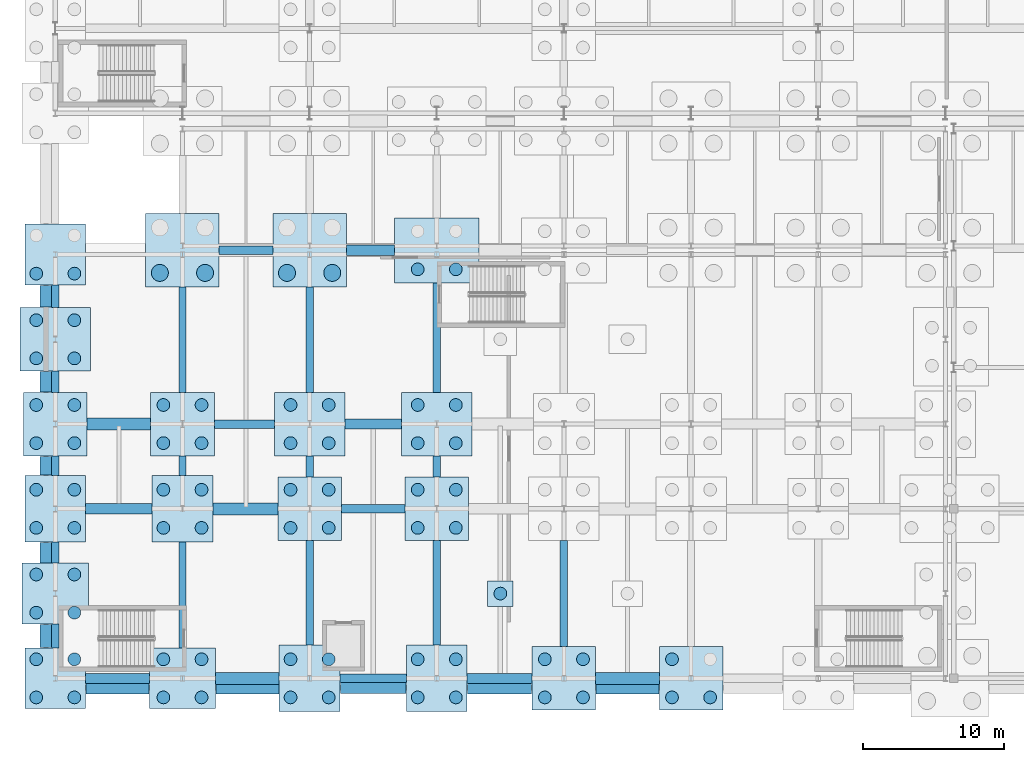
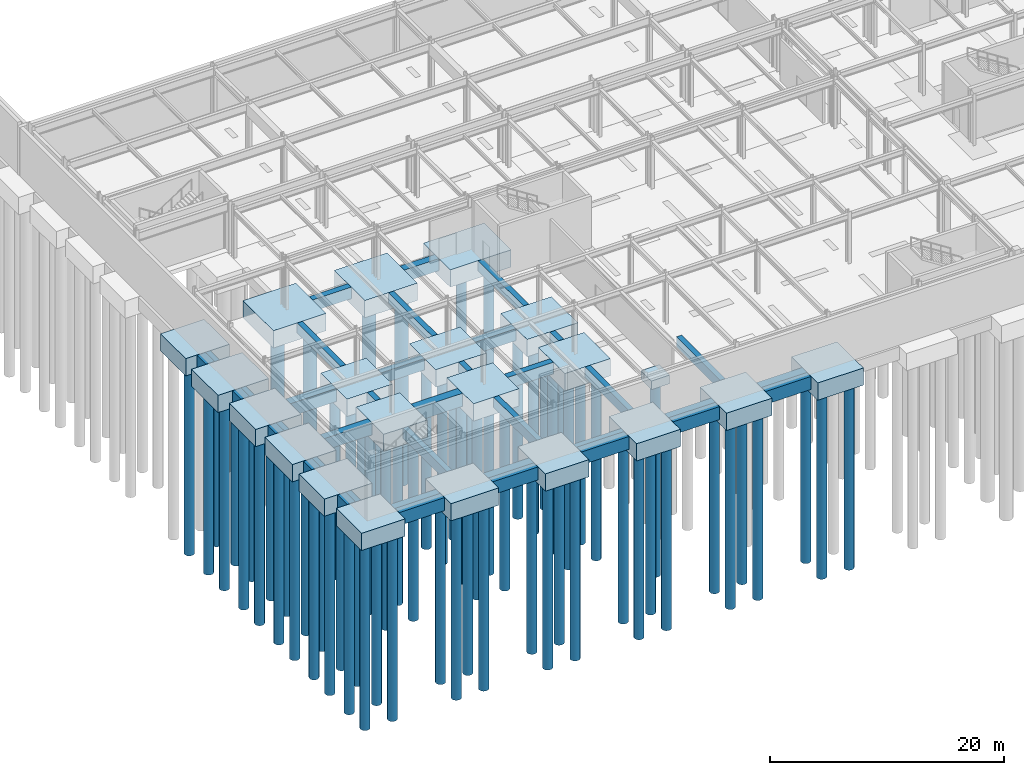
# One storey, part 1 of 65: 72 piles, 59 footings.
"""IFC4 building model written with IfcOpenShell, lengths in metres."""

from ifc_helpers import new_model, si_unit, direction, frame, origin, origin_2d, place, context, subcontext, project, spatial, rectangle, circle, extrude, material, material_profile, profile_set, type_object, element, save


model = new_model("IFC4")

# Units and contexts
model_context = context("Model", 3, precision=1e-05, world=origin(), true_north=direction((0.0, 1.0)))
body_context = subcontext(model_context, "Body", "Model", "MODEL_VIEW")
ifc_project = project(units=[si_unit("LENGTHUNIT", "METRE"), si_unit("AREAUNIT", "SQUARE_METRE"), si_unit("VOLUMEUNIT", "CUBIC_METRE"), si_unit("PLANEANGLEUNIT", "RADIAN"), si_unit("MASSUNIT", "GRAM", prefix="KILO")], contexts=[model_context])

# Site, building, storey
site_placement = place(None, origin())
site = spatial("IfcSite", under=ifc_project, at=site_placement, CompositionType="ELEMENT")
building_placement = place(site_placement, origin())
building = spatial("IfcBuilding", under=site, at=building_placement, Name="Kaldris Quays Convention Centre", CompositionType="ELEMENT")
storey_placement = place(building_placement, frame((0.0, 0.0, -5.39990234375)))
storey = spatial("IfcBuildingStorey", under=building, at=storey_placement, Name="B1", CompositionType="ELEMENT", Elevation=-5.39990234375)

# Piles
ifc_material = material(Name="Concrete C35/45", Category="concrete")
ifc_material_profile_1 = material_profile(ifc_material, circle(Radius=0.449951171875, at=origin_2d()), Name="BORED PILE D900")
ifc_profile_set_1 = profile_set([ifc_material_profile_1], Name="Concrete C35/45")
pile_type_1 = type_object("IfcPileType", Name="BORED PILE P01", PredefinedType="BORED", material=ifc_profile_set_1)
for number, where, z_axis, x_axis, name in (
    (1, (18.64990234375, 14.64990234375, -1.7001953125), (0.0, 0.0, -1.0), (1.0, 0.0, 0.0), "Bored Pile P01 1"),
    (2, (21.35009765625, 14.64990234375, -1.7001953125), (0.0, 0.0, -1.0), (1.0, 0.0, 0.0), "Bored Pile P01 2"),
    (3, (18.64990234375, 17.35009765625, -1.7001953125), (0.0, 0.0, -1.0), (1.0, 0.0, 0.0), "Bored Pile P01 3"),
    (4, (21.35009765625, 17.35009765625, -1.7001953125), (0.0, 0.0, -1.0), (1.0, 0.0, 0.0), "Bored Pile P01 4"),
    (5, (18.64990234375, 20.64990234375, -1.7001953125), (0.0, 0.0, -1.0), (1.0, 0.0, 0.0), "Bored Pile P01 5"),
    (6, (21.35009765625, 20.64990234375, -1.7001953125), (0.0, 0.0, -1.0), (1.0, 0.0, 0.0), "Bored Pile P01 6"),
    (7, (18.64990234375, 23.35009765625, -1.7001953125), (0.0, 0.0, -1.0), (1.0, 0.0, 0.0), "Bored Pile P01 7"),
    (8, (21.35009765625, 23.35009765625, -1.7001953125), (0.0, 0.0, -1.0), (1.0, 0.0, 0.0), "Bored Pile P01 8"),
    (9, (18.64990234375, 26.64990234375, -1.7001953125), (0.0, 0.0, -1.0), (1.0, 0.0, 0.0), "Bored Pile P01 9"),
    (10, (21.35009765625, 26.64990234375, -1.7001953125), (0.0, 0.0, -1.0), (1.0, 0.0, 0.0), "Bored Pile P01 10"),
    (11, (18.64990234375, 29.35009765625, -1.7001953125), (0.0, 0.0, -1.0), (1.0, 0.0, 0.0), "Bored Pile P01 11"),
    (12, (21.35009765625, 29.35009765625, -1.7001953125), (0.0, 0.0, -1.0), (1.0, 0.0, 0.0), "Bored Pile P01 12"),
    (13, (18.64990234375, 32.64990234375, -1.7001953125), (0.0, 0.0, -1.0), (1.0, 0.0, 0.0), "Bored Pile P01 13"),
    (14, (21.35009765625, 32.64990234375, -1.7001953125), (0.0, 0.0, -1.0), (1.0, 0.0, 0.0), "Bored Pile P01 14"),
    (15, (18.64990234375, 35.35009765625, -1.7001953125), (0.0, 0.0, -1.0), (1.0, 0.0, 0.0), "Bored Pile P01 15"),
    (16, (21.35009765625, 35.35009765625, -1.7001953125), (0.0, 0.0, -1.0), (1.0, 0.0, 0.0), "Bored Pile P01 16"),
    (17, (18.64990234375, 38.64990234375, -1.7001953125), (0.0, 0.0, -1.0), (1.0, 0.0, 0.0), "Bored Pile P01 17"),
    (18, (21.35009765625, 38.64990234375, -1.7001953125), (0.0, 0.0, -1.0), (1.0, 0.0, 0.0), "Bored Pile P01 18"),
    (19, (18.64990234375, 41.35009765625, -1.7001953125), (0.0, 0.0, -1.0), (1.0, 0.0, 0.0), "Bored Pile P01 19"),
    (20, (21.35009765625, 41.35009765625, -1.7001953125), (0.0, 0.0, -1.0), (1.0, 0.0, 0.0), "Bored Pile P01 20"),
    (21, (18.64990234375, 44.64990234375, -1.7001953125), (0.0, 0.0, -1.0), (1.0, 0.0, 0.0), "Bored Pile P01 21"),
    (22, (21.35009765625, 44.64990234375, -1.7001953125), (0.0, 0.0, -1.0), (1.0, 0.0, 0.0), "Bored Pile P01 22"),
    (23, (27.64990234375, 14.64990234375, -1.7001953125), (0.0, 0.0, -1.0), (1.0, 0.0, 0.0), "Bored Pile P01 85"),
    (24, (30.35009765625, 14.64990234375, -1.7001953125), (0.0, 0.0, -1.0), (1.0, 0.0, 0.0), "Bored Pile P01 86"),
    (25, (27.64990234375, 17.35009765625, -1.7001953125), (0.0, 0.0, -1.0), (1.0, 0.0, 0.0), "Bored Pile P01 87"),
    (26, (30.35009765625, 17.35009765625, -1.7001953125), (0.0, 0.0, -1.0), (1.0, 0.0, 0.0), "Bored Pile P01 88"),
    (27, (27.64990234375, 26.64990234375, -1.7001953125), (0.0, 0.0, -1.0), (1.0, 0.0, 0.0), "Bored Pile P01 89"),
    (28, (30.35009765625, 26.64990234375, -1.7001953125), (0.0, 0.0, -1.0), (1.0, 0.0, 0.0), "Bored Pile P01 90"),
    (29, (27.64990234375, 29.35009765625, -1.7001953125), (0.0, 0.0, -1.0), (1.0, 0.0, 0.0), "Bored Pile P01 91"),
    (30, (30.35009765625, 29.35009765625, -1.7001953125), (0.0, 0.0, -1.0), (1.0, 0.0, 0.0), "Bored Pile P01 92"),
    (31, (27.64990234375, 32.64990234375, -1.7001953125), (0.0, 0.0, -1.0), (1.0, 0.0, 0.0), "Bored Pile P01 93"),
    (32, (30.35009765625, 32.64990234375, -1.7001953125), (0.0, 0.0, -1.0), (1.0, 0.0, 0.0), "Bored Pile P01 94"),
    (33, (27.64990234375, 35.35009765625, -1.7001953125), (0.0, 0.0, -1.0), (1.0, 0.0, 0.0), "Bored Pile P01 95"),
    (34, (30.35009765625, 35.35009765625, -1.7001953125), (0.0, 0.0, -1.0), (1.0, 0.0, 0.0), "Bored Pile P01 96"),
    (35, (36.64990234375, 14.64990234375, -1.7001953125), (0.0, 0.0, -1.0), (1.0, 0.0, 0.0), "Bored Pile P01 109"),
    (36, (39.35009765625, 14.64990234375, -1.7001953125), (0.0, 0.0, -1.0), (1.0, 0.0, 0.0), "Bored Pile P01 110"),
    (37, (36.64990234375, 17.35009765625, -1.7001953125), (0.0, 0.0, -1.0), (1.0, 0.0, 0.0), "Bored Pile P01 111"),
    (38, (39.35009765625, 17.35009765625, -1.7001953125), (0.0, 0.0, -1.0), (1.0, 0.0, 0.0), "Bored Pile P01 112"),
    (39, (36.64990234375, 26.64990234375, -1.7001953125), (0.0, 0.0, -1.0), (1.0, 0.0, 0.0), "Bored Pile P01 113"),
    (40, (39.35009765625, 26.64990234375, -1.7001953125), (0.0, 0.0, -1.0), (1.0, 0.0, 0.0), "Bored Pile P01 114"),
    (41, (36.64990234375, 29.35009765625, -1.7001953125), (0.0, 0.0, -1.0), (1.0, 0.0, 0.0), "Bored Pile P01 115"),
    (42, (39.35009765625, 29.35009765625, -1.7001953125), (0.0, 0.0, -1.0), (1.0, 0.0, 0.0), "Bored Pile P01 116"),
    (43, (36.64990234375, 32.64990234375, -1.7001953125), (0.0, 0.0, -1.0), (1.0, 0.0, 0.0), "Bored Pile P01 117"),
    (44, (39.35009765625, 32.64990234375, -1.7001953125), (0.0, 0.0, -1.0), (1.0, 0.0, 0.0), "Bored Pile P01 118"),
    (45, (36.64990234375, 35.35009765625, -1.7001953125), (0.0, 0.0, -1.0), (1.0, 0.0, 0.0), "Bored Pile P01 119"),
    (46, (39.35009765625, 35.35009765625, -1.7001953125), (0.0, 0.0, -1.0), (1.0, 0.0, 0.0), "Bored Pile P01 120"),
    (47, (45.64990234375, 14.64990234375, -1.7001953125), (0.0, 0.0, -1.0), (1.0, 0.0, 0.0), "Bored Pile P01 149"),
    (48, (48.35009765625, 14.64990234375, -1.7001953125), (0.0, 0.0, -1.0), (1.0, 0.0, 0.0), "Bored Pile P01 150"),
    (49, (45.64990234375, 17.35009765625, -1.7001953125), (0.0, 0.0, -1.0), (1.0, 0.0, 0.0), "Bored Pile P01 151"),
    (50, (48.35009765625, 17.35009765625, -1.7001953125), (0.0, 0.0, -1.0), (1.0, 0.0, 0.0), "Bored Pile P01 152"),
    (51, (45.64990234375, 26.64990234375, -1.7001953125), (0.0, 0.0, -1.0), (1.0, 0.0, 0.0), "Bored Pile P01 153"),
    (52, (48.35009765625, 26.64990234375, -1.7001953125), (0.0, 0.0, -1.0), (1.0, 0.0, 0.0), "Bored Pile P01 154"),
    (53, (45.64990234375, 29.35009765625, -1.7001953125), (0.0, 0.0, -1.0), (1.0, 0.0, 0.0), "Bored Pile P01 155"),
    (54, (48.35009765625, 29.35009765625, -1.7001953125), (0.0, 0.0, -1.0), (1.0, 0.0, 0.0), "Bored Pile P01 156"),
    (55, (45.64990234375, 32.64990234375, -1.7001953125), (0.0, 0.0, -1.0), (1.0, 0.0, 0.0), "Bored Pile P01 157"),
    (56, (48.35009765625, 32.64990234375, -1.7001953125), (0.0, 0.0, -1.0), (1.0, 0.0, 0.0), "Bored Pile P01 158"),
    (57, (45.64990234375, 35.35009765625, -1.7001953125), (0.0, 0.0, -1.0), (1.0, 0.0, 0.0), "Bored Pile P01 159"),
    (58, (48.35009765625, 35.35009765625, -1.7001953125), (0.0, 0.0, -1.0), (1.0, 0.0, 0.0), "Bored Pile P01 160"),
    (59, (45.64990234375, 44.949951171875, -1.7001953125), (0.0, 0.0, -1.0), (1.0, 0.0, 0.0), "Bored Pile P01 161"),
    (60, (48.35009765625, 44.949951171875, -1.7001953125), (0.0, 0.0, -1.0), (1.0, 0.0, 0.0), "Bored Pile P01 162"),
    (61, (54.64990234375, 14.64990234375, -1.7001953125), (0.0, 0.0, -1.0), (1.0, 0.0, 0.0), "Bored Pile P01 175"),
    (62, (57.35009765625, 14.64990234375, -1.7001953125), (0.0, 0.0, -1.0), (1.0, 0.0, 0.0), "Bored Pile P01 176"),
    (63, (54.64990234375, 17.35009765625, -1.7001953125), (0.0, 0.0, -1.0), (1.0, 0.0, 0.0), "Bored Pile P01 177"),
    (64, (57.35009765625, 17.35009765625, -1.7001953125), (0.0, 0.0, -1.0), (1.0, 0.0, 0.0), "Bored Pile P01 178"),
    (65, (63.64990234375, 14.64990234375, -1.7001953125), (0.0, 0.0, -1.0), (1.0, 0.0, 0.0), "Bored Pile P01 217"),
    (66, (66.35009765625, 14.64990234375, -1.7001953125), (0.0, 0.0, -1.0), (1.0, 0.0, 0.0), "Bored Pile P01 218"),
    (67, (63.64990234375, 17.35009765625, -1.7001953125), (0.0, 0.0, -1.0), (1.0, 0.0, 0.0), "Bored Pile P01 219"),
):
    element("IfcPile", number, at=place(storey_placement, frame(where, z_axis=z_axis, x_axis=x_axis)), inside=storey, type_object=pile_type_1, Name=name, PredefinedType="BORED", context=body_context, shape_type="SweptSolid", body=[
        extrude(circle(Radius=0.449951171875, at=origin_2d()), origin(), (0.0, 0.0, 1.0), 19.300048828125),
    ])
pile_placement = place(storey_placement, frame((51.5, 22.0, -0.800048828125), z_axis=(0.0, 0.0, -1.0), x_axis=(1.0, 0.0, 0.0)))
element("IfcPile", 68, at=pile_placement, inside=storey, type_object=pile_type_1, Name="Bored Pile P01 785", PredefinedType="BORED", context=body_context, shape_type="SweptSolid", body=[
    extrude(circle(Radius=0.449951171875, at=origin_2d()), origin(), (0.0, 0.0, 1.0), 20.199951171875),
])
ifc_material_profile_2 = material_profile(ifc_material, circle(Radius=0.60009765625, at=origin_2d()), Name="BORED PILE D1200")
ifc_profile_set_2 = profile_set([ifc_material_profile_2], Name="Concrete C35/45")
pile_type_2 = type_object("IfcPileType", Name="BORED PILE P02", PredefinedType="BORED", material=ifc_profile_set_2)
for number, where, z_axis, x_axis, name in (
    (69, (27.39990234375, 44.699951171875, -1.7001953125), (0.0, 0.0, -1.0), (1.0, 0.0, 0.0), "Bored Pile P02 97"),
    (70, (30.60009765625, 44.699951171875, -1.7001953125), (0.0, 0.0, -1.0), (1.0, 0.0, 0.0), "Bored Pile P02 98"),
    (71, (36.39990234375, 44.699951171875, -1.7001953125), (0.0, 0.0, -1.0), (1.0, 0.0, 0.0), "Bored Pile P02 121"),
    (72, (39.60009765625, 44.699951171875, -1.7001953125), (0.0, 0.0, -1.0), (1.0, 0.0, 0.0), "Bored Pile P02 122"),
):
    element("IfcPile", number, at=place(storey_placement, frame(where, z_axis=z_axis, x_axis=x_axis)), inside=storey, type_object=pile_type_2, Name=name, PredefinedType="BORED", context=body_context, shape_type="SweptSolid", body=[
        extrude(circle(Radius=0.60009765625, at=origin_2d()), origin(), (0.0, 0.0, 1.0), 19.300048828125),
    ])

# Footings
footing_type_1 = type_object("IfcFootingType", Name="CONCRETE FOOTING PC04", PredefinedType="PILE_CAP", material=ifc_material)
for number, where, z_axis, x_axis, name in (
    (73, (20.0, 16.0, -1.80029296875), (0.0, 0.0, 1.0), (1.0, 0.0, 0.0), "Pile Cap CAP-001 (PC04)"),
    (74, (20.0, 46.0, -1.80029296875), (0.0, 0.0, 1.0), (1.0, 0.0, 0.0), "Pile Cap CAP-006 (PC04)"),
):
    element("IfcFooting", number, at=place(storey_placement, frame(where, z_axis=z_axis, x_axis=x_axis)), inside=storey, type_object=footing_type_1, Name=name, PredefinedType="PILE_CAP", context=body_context, shape_type="SweptSolid", body=[
        extrude(rectangle(XDim=4.300048828125, YDim=4.300048828125, at=origin_2d()), origin(), (0.0, 0.0, 1.0), 1.800048828125),
    ])
footing_type_2 = type_object("IfcFootingType", Name="CONCRETE FOOTING PC05", PredefinedType="PILE_CAP", material=ifc_material)
for number, where, z_axis, x_axis, name in (
    (75, (29.0, 46.300048828125, -1.80029296875), (0.0, 0.0, 1.0), (1.0, 0.0, 0.0), "Pile Cap CAP-025 (PC05)"),
    (76, (38.0, 46.300048828125, -1.80029296875), (0.0, 0.0, 1.0), (1.0, 0.0, 0.0), "Pile Cap CAP-031 (PC05)"),
):
    element("IfcFooting", number, at=place(storey_placement, frame(where, z_axis=z_axis, x_axis=x_axis)), inside=storey, type_object=footing_type_2, Name=name, PredefinedType="PILE_CAP", context=body_context, shape_type="SweptSolid", body=[
        extrude(rectangle(XDim=5.199951171875, YDim=5.199951171875, at=origin_2d()), origin(), (0.0, 0.0, 1.0), 1.800048828125),
    ])
footing_type_3 = type_object("IfcFootingType", Name="CONCRETE FOOTING PC07", PredefinedType="PILE_CAP", material=ifc_material)
for number, where, z_axis, x_axis, name in (
    (77, (20.0, 22.0, -1.80029296875), (0.0, 0.0, 1.0), (1.0, 0.0, 0.0), "Pile Cap CAP-002 (PC07)"),
    (78, (29.0, 16.0, -1.80029296875), (0.0, 0.0, 1.0), (1.0, 0.0, 0.0), "Pile Cap CAP-022 (PC07)"),
):
    element("IfcFooting", number, at=place(storey_placement, frame(where, z_axis=z_axis, x_axis=x_axis)), inside=storey, type_object=footing_type_3, Name=name, PredefinedType="PILE_CAP", context=body_context, shape_type="SweptSolid", body=[
        extrude(rectangle(XDim=4.699951171875, YDim=4.300048828125, at=origin_2d()), origin(), (0.0, 0.0, 1.0), 1.800048828125),
    ])
footing_type_4 = type_object("IfcFootingType", Name="CONCRETE FOOTING PC08", PredefinedType="PILE_CAP", material=ifc_material)
for number, where, z_axis, x_axis, name in (
    (79, (20.0, 28.0, -1.80029296875), (0.0, 0.0, 1.0), (1.0, 0.0, 0.0), "Pile Cap CAP-003 (PC08)"),
    (80, (29.0, 28.0, -1.80029296875), (0.0, 0.0, 1.0), (1.0, 0.0, 0.0), "Pile Cap CAP-023 (PC08)"),
    (81, (38.0, 16.0, -1.80029296875), (0.0, 0.0, 1.0), (1.0, 0.0, 0.0), "Pile Cap CAP-028 (PC08)"),
    (82, (47.0, 16.0, -1.80029296875), (0.0, 0.0, 1.0), (1.0, 0.0, 0.0), "Pile Cap CAP-038 (PC08)"),
):
    element("IfcFooting", number, at=place(storey_placement, frame(where, z_axis=z_axis, x_axis=x_axis)), inside=storey, type_object=footing_type_4, Name=name, PredefinedType="PILE_CAP", context=body_context, shape_type="SweptSolid", body=[
        extrude(rectangle(XDim=4.300048828125, YDim=4.699951171875, at=origin_2d()), origin(), (0.0, 0.0, 1.0), 1.800048828125),
    ])
footing_type_5 = type_object("IfcFootingType", Name="CONCRETE FOOTING PC13", PredefinedType="PILE_CAP", material=ifc_material)
for number, where, z_axis, x_axis, name in (
    (83, (20.0, 34.0, -1.80029296875), (0.0, 0.0, 1.0), (1.0, 0.0, 0.0), "Pile Cap CAP-004 (PC13)"),
    (84, (29.0, 34.0, -1.80029296875), (0.0, 0.0, 1.0), (1.0, 0.0, 0.0), "Pile Cap CAP-024 (PC13)"),
    (85, (38.0, 28.0, -1.80029296875), (0.0, 0.0, 1.0), (1.0, 0.0, 0.0), "Pile Cap CAP-029 (PC13)"),
    (86, (47.0, 28.0, -1.80029296875), (0.0, 0.0, 1.0), (1.0, 0.0, 0.0), "Pile Cap CAP-039 (PC13)"),
    (87, (56.0, 16.0, -1.80029296875), (0.0, 0.0, 1.0), (1.0, 0.0, 0.0), "Pile Cap CAP-044 (PC13)"),
    (88, (65.0, 16.0, -1.80029296875), (0.0, 0.0, 1.0), (1.0, 0.0, 0.0), "Pile Cap CAP-054 (PC13)"),
):
    element("IfcFooting", number, at=place(storey_placement, frame(where, z_axis=z_axis, x_axis=x_axis)), inside=storey, type_object=footing_type_5, Name=name, PredefinedType="PILE_CAP", context=body_context, shape_type="SweptSolid", body=[
        extrude(rectangle(XDim=4.5, YDim=4.5, at=origin_2d()), origin(), (0.0, 0.0, 1.0), 1.800048828125),
    ])
footing_type_6 = type_object("IfcFootingType", Name="CONCRETE FOOTING PC14", PredefinedType="PILE_CAP", material=ifc_material)
for number, where, z_axis, x_axis, name in (
    (89, (20.0, 40.0, -1.80029296875), (0.0, 0.0, 1.0), (1.0, 0.0, 0.0), "Pile Cap CAP-005 (PC14)"),
    (90, (38.0, 34.0, -1.80029296875), (0.0, 0.0, 1.0), (1.0, 0.0, 0.0), "Pile Cap CAP-030 (PC14)"),
    (91, (47.0, 34.0, -1.80029296875), (0.0, 0.0, 1.0), (1.0, 0.0, 0.0), "Pile Cap CAP-040 (PC14)"),
):
    element("IfcFooting", number, at=place(storey_placement, frame(where, z_axis=z_axis, x_axis=x_axis)), inside=storey, type_object=footing_type_6, Name=name, PredefinedType="PILE_CAP", context=body_context, shape_type="SweptSolid", body=[
        extrude(rectangle(XDim=5.0, YDim=4.5, at=origin_2d()), origin(), (0.0, 0.0, 1.0), 1.800048828125),
    ])
footing_type_7 = type_object("IfcFootingType", Name="CONCRETE FOOTING PC16", PredefinedType="PILE_CAP", material=ifc_material)
footing_1_placement = place(storey_placement, frame((47.0, 46.300048828125, -1.80029296875), z_axis=(0.0, 0.0, 1.0), x_axis=(1.0, 0.0, 0.0)))
element("IfcFooting", 92, at=footing_1_placement, inside=storey, type_object=footing_type_7, Name="Pile Cap CAP-041 (PC16)", PredefinedType="PILE_CAP", context=body_context, shape_type="SweptSolid", body=[
    extrude(rectangle(XDim=6.0, YDim=4.60009765625, at=origin_2d()), origin(), (0.0, 0.0, 1.0), 1.800048828125),
])
footing_type_8 = type_object("IfcFootingType", Name="CONCRETE FOOTING PF01", PredefinedType="PAD_FOOTING", material=ifc_material)
footing_2_placement = place(storey_placement, frame((51.5, 22.0, -0.900146484375), z_axis=(0.0, 0.0, 1.0), x_axis=(1.0, 0.0, 0.0)))
element("IfcFooting", 93, at=footing_2_placement, inside=storey, type_object=footing_type_8, Name="Equipment Pad Footing PF01 1", PredefinedType="PAD_FOOTING", context=body_context, shape_type="SweptSolid", body=[
    extrude(rectangle(XDim=1.800048828125, YDim=1.800048828125, at=origin_2d()), origin(), (0.0, 0.0, 1.0), 0.89990234375),
])
footing_type_9 = type_object("IfcFootingType", Name="GROUND TIE BEAM GB01", PredefinedType="FOOTING_BEAM", material=ifc_material)
footing_3_placement = place(storey_placement, frame((42.5, 16.0, -1.2001953125), z_axis=(0.0, 0.0, 1.0), x_axis=(1.0, 0.0, 0.0)))
element("IfcFooting", 94, at=footing_3_placement, inside=storey, type_object=footing_type_9, Name="Ground Tie Beam GB01 3", PredefinedType="FOOTING_BEAM", context=body_context, shape_type="SweptSolid", body=[
    extrude(rectangle(XDim=4.699951171875, YDim=0.60009765625, at=origin_2d()), origin(), (0.0, 0.0, 1.0), 1.199951171875),
])
footing_4_placement = place(storey_placement, frame((42.5, 28.0, -1.2001953125), z_axis=(0.0, 0.0, 1.0), x_axis=(1.0, 0.0, 0.0)))
element("IfcFooting", 95, at=footing_4_placement, inside=storey, type_object=footing_type_9, Name="Ground Tie Beam GB01 21", PredefinedType="FOOTING_BEAM", context=body_context, shape_type="SweptSolid", body=[
    extrude(rectangle(XDim=4.5, YDim=0.60009765625, at=origin_2d()), origin(), (0.0, 0.0, 1.0), 1.199951171875),
])
footing_5_placement = place(storey_placement, frame((33.375, 34.0, -1.2001953125), z_axis=(0.0, 0.0, 1.0), x_axis=(1.0, 0.0, 0.0)))
element("IfcFooting", 96, at=footing_5_placement, inside=storey, type_object=footing_type_9, Name="Ground Tie Beam GB01 36", PredefinedType="FOOTING_BEAM", context=body_context, shape_type="SweptSolid", body=[
    extrude(rectangle(XDim=4.25, YDim=0.60009765625, at=origin_2d()), origin(), (0.0, 0.0, 1.0), 1.199951171875),
])
footing_6_placement = place(storey_placement, frame((33.5, 46.300048828125, -1.2001953125), z_axis=(0.0, 0.0, 1.0), x_axis=(1.0, 0.0, 0.0)))
element("IfcFooting", 97, at=footing_6_placement, inside=storey, type_object=footing_type_9, Name="Ground Tie Beam GB01 51", PredefinedType="FOOTING_BEAM", context=body_context, shape_type="SweptSolid", body=[
    extrude(rectangle(XDim=3.800048828125, YDim=0.60009765625, at=origin_2d()), origin(), (0.0, 0.0, 1.0), 1.199951171875),
])
footing_type_10 = type_object("IfcFootingType", Name="GROUND TIE BEAM GB02", PredefinedType="FOOTING_BEAM", material=ifc_material)
footing_7_placement = place(storey_placement, frame((24.39990234375, 16.0, -1.25), z_axis=(0.0, 0.0, 1.0), x_axis=(1.0, 0.0, 0.0)))
element("IfcFooting", 98, at=footing_7_placement, inside=storey, type_object=footing_type_10, Name="Ground Tie Beam GB02 1", PredefinedType="FOOTING_BEAM", context=body_context, shape_type="SweptSolid", body=[
    extrude(rectangle(XDim=4.5, YDim=0.719970703125, at=origin_2d()), origin(), (0.0, 0.0, 1.0), 1.25),
])
footing_8_placement = place(storey_placement, frame((51.449951171875, 16.0, -1.25), z_axis=(0.0, 0.0, 1.0), x_axis=(1.0, 0.0, 0.0)))
element("IfcFooting", 99, at=footing_8_placement, inside=storey, type_object=footing_type_10, Name="Ground Tie Beam GB02 4", PredefinedType="FOOTING_BEAM", context=body_context, shape_type="SweptSolid", body=[
    extrude(rectangle(XDim=4.60009765625, YDim=0.719970703125, at=origin_2d()), origin(), (0.0, 0.0, 1.0), 1.25),
])
footing_9_placement = place(storey_placement, frame((24.5, 28.0, -1.25), z_axis=(0.0, 0.0, 1.0), x_axis=(1.0, 0.0, 0.0)))
element("IfcFooting", 100, at=footing_9_placement, inside=storey, type_object=footing_type_10, Name="Ground Tie Beam GB02 19", PredefinedType="FOOTING_BEAM", context=body_context, shape_type="SweptSolid", body=[
    extrude(rectangle(XDim=4.699951171875, YDim=0.719970703125, at=origin_2d()), origin(), (0.0, 0.0, 1.0), 1.25),
])
footing_10_placement = place(storey_placement, frame((42.5, 34.0, -1.25), z_axis=(0.0, 0.0, 1.0), x_axis=(1.0, 0.0, 0.0)))
element("IfcFooting", 101, at=footing_10_placement, inside=storey, type_object=footing_type_10, Name="Ground Tie Beam GB02 37", PredefinedType="FOOTING_BEAM", context=body_context, shape_type="SweptSolid", body=[
    extrude(rectangle(XDim=4.0, YDim=0.719970703125, at=origin_2d()), origin(), (0.0, 0.0, 1.0), 1.25),
])
footing_11_placement = place(storey_placement, frame((42.300048828125, 46.300048828125, -1.25), z_axis=(0.0, 0.0, 1.0), x_axis=(1.0, 0.0, 0.0)))
element("IfcFooting", 102, at=footing_11_placement, inside=storey, type_object=footing_type_10, Name="Ground Tie Beam GB02 52", PredefinedType="FOOTING_BEAM", context=body_context, shape_type="SweptSolid", body=[
    extrude(rectangle(XDim=3.39990234375, YDim=0.719970703125, at=origin_2d()), origin(), (0.0, 0.0, 1.0), 1.25),
])
footing_type_11 = type_object("IfcFootingType", Name="GROUND TIE BEAM GB03", PredefinedType="FOOTING_BEAM", material=ifc_material)
footing_12_placement = place(storey_placement, frame((20.0, 19.0, -1.05029296875), z_axis=(0.0, 0.0, 1.0), x_axis=(1.0, 0.0, 0.0)))
element("IfcFooting", 103, at=footing_12_placement, inside=storey, type_object=footing_type_11, Name="Ground Tie Beam GB03 175", PredefinedType="FOOTING_BEAM", context=body_context, shape_type="SweptSolid", body=[
    extrude(rectangle(XDim=0.52001953125, YDim=1.699951171875, at=origin_2d()), origin(), (0.0, 0.0, 1.0), 1.050048828125),
])
footing_13_placement = place(storey_placement, frame((20.0, 24.89990234375, -1.05029296875), z_axis=(0.0, 0.0, 1.0), x_axis=(1.0, 0.0, 0.0)))
element("IfcFooting", 104, at=footing_13_placement, inside=storey, type_object=footing_type_11, Name="Ground Tie Beam GB03 176", PredefinedType="FOOTING_BEAM", context=body_context, shape_type="SweptSolid", body=[
    extrude(rectangle(XDim=0.52001953125, YDim=1.5, at=origin_2d()), origin(), (0.0, 0.0, 1.0), 1.050048828125),
])
footing_14_placement = place(storey_placement, frame((20.0, 31.050048828125, -1.05029296875), z_axis=(0.0, 0.0, 1.0), x_axis=(1.0, 0.0, 0.0)))
element("IfcFooting", 105, at=footing_14_placement, inside=storey, type_object=footing_type_11, Name="Ground Tie Beam GB03 177", PredefinedType="FOOTING_BEAM", context=body_context, shape_type="SweptSolid", body=[
    extrude(rectangle(XDim=0.52001953125, YDim=1.39990234375, at=origin_2d()), origin(), (0.0, 0.0, 1.0), 1.050048828125),
])
footing_15_placement = place(storey_placement, frame((20.0, 37.0, -1.05029296875), z_axis=(0.0, 0.0, 1.0), x_axis=(1.0, 0.0, 0.0)))
element("IfcFooting", 106, at=footing_15_placement, inside=storey, type_object=footing_type_11, Name="Ground Tie Beam GB03 178", PredefinedType="FOOTING_BEAM", context=body_context, shape_type="SweptSolid", body=[
    extrude(rectangle(XDim=0.52001953125, YDim=1.5, at=origin_2d()), origin(), (0.0, 0.0, 1.0), 1.050048828125),
])
footing_16_placement = place(storey_placement, frame((20.0, 43.050048828125, -1.05029296875), z_axis=(0.0, 0.0, 1.0), x_axis=(1.0, 0.0, 0.0)))
element("IfcFooting", 107, at=footing_16_placement, inside=storey, type_object=footing_type_11, Name="Ground Tie Beam GB03 179", PredefinedType="FOOTING_BEAM", context=body_context, shape_type="SweptSolid", body=[
    extrude(rectangle(XDim=0.52001953125, YDim=1.60009765625, at=origin_2d()), origin(), (0.0, 0.0, 1.0), 1.050048828125),
])
footing_17_placement = place(storey_placement, frame((29.0, 21.89990234375, -1.05029296875), z_axis=(0.0, 0.0, 1.0), x_axis=(1.0, 0.0, 0.0)))
element("IfcFooting", 108, at=footing_17_placement, inside=storey, type_object=footing_type_11, Name="Ground Tie Beam GB03 195", PredefinedType="FOOTING_BEAM", context=body_context, shape_type="SweptSolid", body=[
    extrude(rectangle(XDim=0.52001953125, YDim=7.5, at=origin_2d()), origin(), (0.0, 0.0, 1.0), 1.050048828125),
])
footing_18_placement = place(storey_placement, frame((29.0, 31.050048828125, -1.05029296875), z_axis=(0.0, 0.0, 1.0), x_axis=(1.0, 0.0, 0.0)))
element("IfcFooting", 109, at=footing_18_placement, inside=storey, type_object=footing_type_11, Name="Ground Tie Beam GB03 196", PredefinedType="FOOTING_BEAM", context=body_context, shape_type="SweptSolid", body=[
    extrude(rectangle(XDim=0.52001953125, YDim=1.39990234375, at=origin_2d()), origin(), (0.0, 0.0, 1.0), 1.050048828125),
])
footing_19_placement = place(storey_placement, frame((29.0, 39.97509765625, -1.05029296875), z_axis=(0.0, 0.0, 1.0), x_axis=(1.0, 0.0, 0.0)))
element("IfcFooting", 110, at=footing_19_placement, inside=storey, type_object=footing_type_11, Name="Ground Tie Beam GB03 197", PredefinedType="FOOTING_BEAM", context=body_context, shape_type="SweptSolid", body=[
    extrude(rectangle(XDim=0.52001953125, YDim=7.449951171875, at=origin_2d()), origin(), (0.0, 0.0, 1.0), 1.050048828125),
])
footing_20_placement = place(storey_placement, frame((38.0, 22.050048828125, -1.05029296875), z_axis=(0.0, 0.0, 1.0), x_axis=(1.0, 0.0, 0.0)))
element("IfcFooting", 111, at=footing_20_placement, inside=storey, type_object=footing_type_11, Name="Ground Tie Beam GB03 199", PredefinedType="FOOTING_BEAM", context=body_context, shape_type="SweptSolid", body=[
    extrude(rectangle(XDim=0.52001953125, YDim=7.39990234375, at=origin_2d()), origin(), (0.0, 0.0, 1.0), 1.050048828125),
])
footing_21_placement = place(storey_placement, frame((38.0, 31.0, -1.05029296875), z_axis=(0.0, 0.0, 1.0), x_axis=(1.0, 0.0, 0.0)))
element("IfcFooting", 112, at=footing_21_placement, inside=storey, type_object=footing_type_11, Name="Ground Tie Beam GB03 200", PredefinedType="FOOTING_BEAM", context=body_context, shape_type="SweptSolid", body=[
    extrude(rectangle(XDim=0.52001953125, YDim=1.5, at=origin_2d()), origin(), (0.0, 0.0, 1.0), 1.050048828125),
])
footing_22_placement = place(storey_placement, frame((38.0, 39.97509765625, -1.05029296875), z_axis=(0.0, 0.0, 1.0), x_axis=(1.0, 0.0, 0.0)))
element("IfcFooting", 113, at=footing_22_placement, inside=storey, type_object=footing_type_11, Name="Ground Tie Beam GB03 201", PredefinedType="FOOTING_BEAM", context=body_context, shape_type="SweptSolid", body=[
    extrude(rectangle(XDim=0.52001953125, YDim=7.449951171875, at=origin_2d()), origin(), (0.0, 0.0, 1.0), 1.050048828125),
])
footing_23_placement = place(storey_placement, frame((47.0, 22.050048828125, -1.05029296875), z_axis=(0.0, 0.0, 1.0), x_axis=(1.0, 0.0, 0.0)))
element("IfcFooting", 114, at=footing_23_placement, inside=storey, type_object=footing_type_11, Name="Ground Tie Beam GB03 207", PredefinedType="FOOTING_BEAM", context=body_context, shape_type="SweptSolid", body=[
    extrude(rectangle(XDim=0.52001953125, YDim=7.39990234375, at=origin_2d()), origin(), (0.0, 0.0, 1.0), 1.050048828125),
])
footing_24_placement = place(storey_placement, frame((47.0, 31.0, -1.05029296875), z_axis=(0.0, 0.0, 1.0), x_axis=(1.0, 0.0, 0.0)))
element("IfcFooting", 115, at=footing_24_placement, inside=storey, type_object=footing_type_11, Name="Ground Tie Beam GB03 208", PredefinedType="FOOTING_BEAM", context=body_context, shape_type="SweptSolid", body=[
    extrude(rectangle(XDim=0.52001953125, YDim=1.5, at=origin_2d()), origin(), (0.0, 0.0, 1.0), 1.050048828125),
])
footing_25_placement = place(storey_placement, frame((47.0, 40.125, -1.05029296875), z_axis=(0.0, 0.0, 1.0), x_axis=(1.0, 0.0, 0.0)))
element("IfcFooting", 116, at=footing_25_placement, inside=storey, type_object=footing_type_11, Name="Ground Tie Beam GB03 209", PredefinedType="FOOTING_BEAM", context=body_context, shape_type="SweptSolid", body=[
    extrude(rectangle(XDim=0.52001953125, YDim=7.75, at=origin_2d()), origin(), (0.0, 0.0, 1.0), 1.050048828125),
])
footing_26_placement = place(storey_placement, frame((56.0, 22.0, -1.05029296875), z_axis=(0.0, 0.0, 1.0), x_axis=(1.0, 0.0, 0.0)))
element("IfcFooting", 117, at=footing_26_placement, inside=storey, type_object=footing_type_11, Name="Ground Tie Beam GB03 211", PredefinedType="FOOTING_BEAM", context=body_context, shape_type="SweptSolid", body=[
    extrude(rectangle(XDim=0.52001953125, YDim=7.5, at=origin_2d()), origin(), (0.0, 0.0, 1.0), 1.050048828125),
])
footing_type_12 = type_object("IfcFootingType", Name="GROUND TIE BEAM GB04", PredefinedType="FOOTING_BEAM", material=ifc_material)
for number, where, z_axis, x_axis, name in (
    (118, (33.60009765625, 16.0, -1.35009765625), (0.0, 0.0, 1.0), (1.0, 0.0, 0.0), "Ground Tie Beam GB04 2"),
    (119, (60.5, 16.0, -1.35009765625), (0.0, 0.0, 1.0), (1.0, 0.0, 0.0), "Ground Tie Beam GB04 5"),
):
    element("IfcFooting", number, at=place(storey_placement, frame(where, z_axis=z_axis, x_axis=x_axis)), inside=storey, type_object=footing_type_12, Name=name, PredefinedType="FOOTING_BEAM", context=body_context, shape_type="SweptSolid", body=[
        extrude(rectangle(XDim=4.5, YDim=0.840087890625, at=origin_2d()), origin(), (0.0, 0.0, 1.0), 1.35009765625),
    ])
footing_27_placement = place(storey_placement, frame((33.449951171875, 28.0, -1.35009765625), z_axis=(0.0, 0.0, 1.0), x_axis=(1.0, 0.0, 0.0)))
element("IfcFooting", 120, at=footing_27_placement, inside=storey, type_object=footing_type_12, Name="Ground Tie Beam GB04 20", PredefinedType="FOOTING_BEAM", context=body_context, shape_type="SweptSolid", body=[
    extrude(rectangle(XDim=4.60009765625, YDim=0.840087890625, at=origin_2d()), origin(), (0.0, 0.0, 1.0), 1.35009765625),
])
footing_28_placement = place(storey_placement, frame((24.5, 34.0, -1.35009765625), z_axis=(0.0, 0.0, 1.0), x_axis=(1.0, 0.0, 0.0)))
element("IfcFooting", 121, at=footing_28_placement, inside=storey, type_object=footing_type_12, Name="Ground Tie Beam GB04 35", PredefinedType="FOOTING_BEAM", context=body_context, shape_type="SweptSolid", body=[
    extrude(rectangle(XDim=4.5, YDim=0.840087890625, at=origin_2d()), origin(), (0.0, 0.0, 1.0), 1.35009765625),
])
footing_29_placement = place(storey_placement, frame((19.35009765625, 19.0, -1.35009765625), z_axis=(0.0, 0.0, 1.0), x_axis=(1.0, 0.0, 0.0)))
element("IfcFooting", 122, at=footing_29_placement, inside=storey, type_object=footing_type_12, Name="Perimeter Retaining Wall Strip Footing GB04 1", PredefinedType="FOOTING_BEAM", context=body_context, shape_type="SweptSolid", body=[
    extrude(rectangle(XDim=0.840087890625, YDim=1.639892578125, at=origin_2d()), origin(), (0.0, 0.0, 1.0), 1.35009765625),
])
footing_30_placement = place(storey_placement, frame((19.35009765625, 24.89990234375, -1.35009765625), z_axis=(0.0, 0.0, 1.0), x_axis=(1.0, 0.0, 0.0)))
element("IfcFooting", 123, at=footing_30_placement, inside=storey, type_object=footing_type_12, Name="Perimeter Retaining Wall Strip Footing GB04 2", PredefinedType="FOOTING_BEAM", context=body_context, shape_type="SweptSolid", body=[
    extrude(rectangle(XDim=0.840087890625, YDim=1.43994140625, at=origin_2d()), origin(), (0.0, 0.0, 1.0), 1.35009765625),
])
footing_31_placement = place(storey_placement, frame((19.35009765625, 31.050048828125, -1.35009765625), z_axis=(0.0, 0.0, 1.0), x_axis=(1.0, 0.0, 0.0)))
element("IfcFooting", 124, at=footing_31_placement, inside=storey, type_object=footing_type_12, Name="Perimeter Retaining Wall Strip Footing GB04 3", PredefinedType="FOOTING_BEAM", context=body_context, shape_type="SweptSolid", body=[
    extrude(rectangle(XDim=0.840087890625, YDim=1.340087890625, at=origin_2d()), origin(), (0.0, 0.0, 1.0), 1.35009765625),
])
footing_32_placement = place(storey_placement, frame((19.35009765625, 37.0, -1.35009765625), z_axis=(0.0, 0.0, 1.0), x_axis=(1.0, 0.0, 0.0)))
element("IfcFooting", 125, at=footing_32_placement, inside=storey, type_object=footing_type_12, Name="Perimeter Retaining Wall Strip Footing GB04 4", PredefinedType="FOOTING_BEAM", context=body_context, shape_type="SweptSolid", body=[
    extrude(rectangle(XDim=0.840087890625, YDim=1.43994140625, at=origin_2d()), origin(), (0.0, 0.0, 1.0), 1.35009765625),
])
footing_33_placement = place(storey_placement, frame((19.35009765625, 43.050048828125, -1.35009765625), z_axis=(0.0, 0.0, 1.0), x_axis=(1.0, 0.0, 0.0)))
element("IfcFooting", 126, at=footing_33_placement, inside=storey, type_object=footing_type_12, Name="Perimeter Retaining Wall Strip Footing GB04 5", PredefinedType="FOOTING_BEAM", context=body_context, shape_type="SweptSolid", body=[
    extrude(rectangle(XDim=0.840087890625, YDim=1.5400390625, at=origin_2d()), origin(), (0.0, 0.0, 1.0), 1.35009765625),
])
footing_34_placement = place(storey_placement, frame((42.5, 15.35009765625, -1.35009765625), z_axis=(0.0, 0.0, 1.0), x_axis=(1.0, 0.0, 0.0)))
element("IfcFooting", 127, at=footing_34_placement, inside=storey, type_object=footing_type_12, Name="Perimeter Retaining Wall Strip Footing GB04 51", PredefinedType="FOOTING_BEAM", context=body_context, shape_type="SweptSolid", body=[
    extrude(rectangle(XDim=4.639892578125, YDim=0.840087890625, at=origin_2d()), origin(), (0.0, 0.0, 1.0), 1.35009765625),
])
for number, where, z_axis, x_axis, name in (
    (128, (24.39990234375, 15.330078125, -1.35009765625), (0.0, 0.0, 1.0), (1.0, 0.0, 0.0), "Perimeter Retaining Wall Strip Footing GB04 52"),
    (129, (33.60009765625, 15.300048828125, -1.35009765625), (0.0, 0.0, 1.0), (1.0, 0.0, 0.0), "Perimeter Retaining Wall Strip Footing GB04 53"),
):
    element("IfcFooting", number, at=place(storey_placement, frame(where, z_axis=z_axis, x_axis=x_axis)), inside=storey, type_object=footing_type_12, Name=name, PredefinedType="FOOTING_BEAM", context=body_context, shape_type="SweptSolid", body=[
        extrude(rectangle(XDim=4.43994140625, YDim=0.840087890625, at=origin_2d()), origin(), (0.0, 0.0, 1.0), 1.35009765625),
    ])
footing_35_placement = place(storey_placement, frame((51.449951171875, 15.330078125, -1.35009765625), z_axis=(0.0, 0.0, 1.0), x_axis=(1.0, 0.0, 0.0)))
element("IfcFooting", 130, at=footing_35_placement, inside=storey, type_object=footing_type_12, Name="Perimeter Retaining Wall Strip Footing GB04 54", PredefinedType="FOOTING_BEAM", context=body_context, shape_type="SweptSolid", body=[
    extrude(rectangle(XDim=4.5400390625, YDim=0.840087890625, at=origin_2d()), origin(), (0.0, 0.0, 1.0), 1.35009765625),
])
footing_36_placement = place(storey_placement, frame((60.5, 15.300048828125, -1.35009765625), z_axis=(0.0, 0.0, 1.0), x_axis=(1.0, 0.0, 0.0)))
element("IfcFooting", 131, at=footing_36_placement, inside=storey, type_object=footing_type_12, Name="Perimeter Retaining Wall Strip Footing GB04 55", PredefinedType="FOOTING_BEAM", context=body_context, shape_type="SweptSolid", body=[
    extrude(rectangle(XDim=4.43994140625, YDim=0.840087890625, at=origin_2d()), origin(), (0.0, 0.0, 1.0), 1.35009765625),
])

save(model, "model.ifc")
